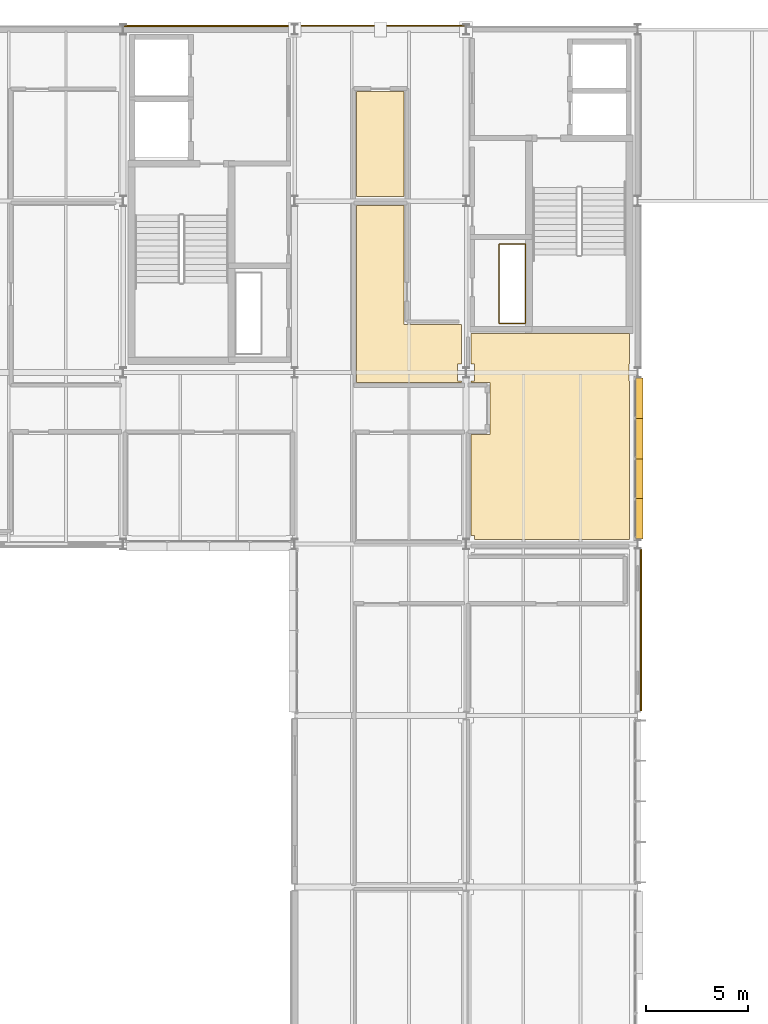
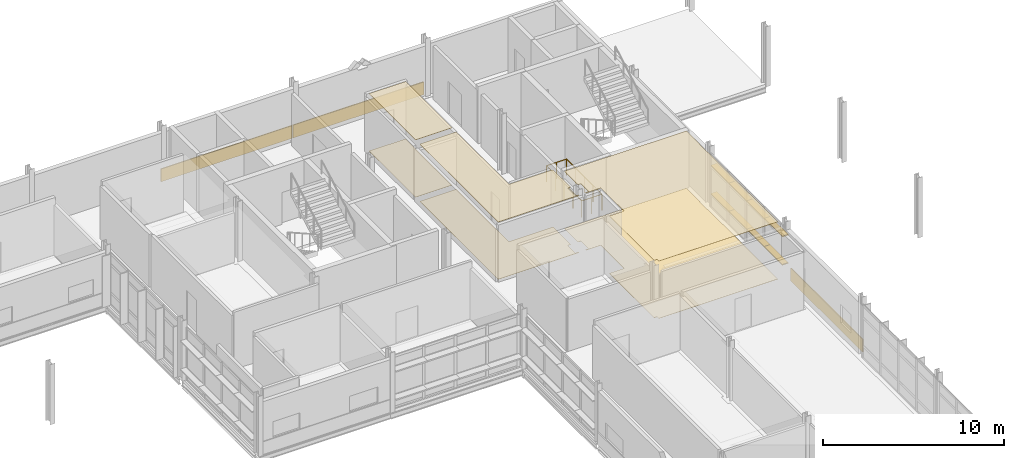
# One storey, part 130 of 131: 9 coverings, 8 shading devices, 1 railing.
"""IFC4 building model written with IfcOpenShell, lengths in metres."""

from ifc_helpers import new_model, si_unit, direction, frame, origin, origin_2d, place, context, subcontext, project, spatial, polyline, rectangle, circle, outline, extrude, material, layer, layer_set, type_object, element, save


model = new_model("IFC4")

# Units and contexts
model_context = context("Model", 3, precision=1e-05, world=origin(), true_north=direction((0.0, 1.0)))
body_context = subcontext(model_context, "Body", "Model", "MODEL_VIEW")
ifc_project = project(units=[si_unit("LENGTHUNIT", "METRE"), si_unit("AREAUNIT", "SQUARE_METRE"), si_unit("VOLUMEUNIT", "CUBIC_METRE"), si_unit("PLANEANGLEUNIT", "RADIAN"), si_unit("MASSUNIT", "GRAM", prefix="KILO")], contexts=[model_context])

# Site, building, storey
site_placement = place(None, origin())
site = spatial("IfcSite", under=ifc_project, at=site_placement, CompositionType="ELEMENT")
building_placement = place(site_placement, origin())
building = spatial("IfcBuilding", under=site, at=building_placement, Name="Mersafa Astral City Hall", CompositionType="ELEMENT")
storey_placement = place(building_placement, frame((0.0, 0.0, 13.949951171875)))
storey = spatial("IfcBuildingStorey", under=building, at=storey_placement, Name="L03", CompositionType="ELEMENT", Elevation=13.949951171875)

# Coverings
ifc_material_1 = material(Name="Cairo Mokattam buff limestone cladding", Category="masonry")
ifc_layer_1 = layer(ifc_material_1, 0.06005859375, Name="Cairo Mokattam buff limestone cladding")
ifc_layer_set_1 = layer_set([ifc_layer_1], Name="Cairo Mokattam buff limestone cladding — ENV-COV-LIMESTONE-60")
covering_type_1 = type_object("IfcCoveringType", Name="ENV-COV-LIMESTONE-60", PredefinedType="CLADDING", material=ifc_layer_set_1)
covering_1_placement = place(storey_placement, frame((176.56201171875, 96.58740234375, 0.0), z_axis=(0.0, 0.0, 1.0), x_axis=(0.0, 1.0, 0.0)))
element("IfcCovering", 1, at=covering_1_placement, inside=storey, type_object=covering_type_1, Name="L03 Cairo buff limestone rainscreen cladding 234", PredefinedType="CLADDING", context=body_context, shape_type="SweptSolid", body=[
    extrude(rectangle(XDim=7.923095703125, YDim=0.06005859375, at=origin_2d()), origin(), (0.0, 0.0, 1.0), 0.860107421875),
])
for number, where, z_axis, x_axis, name in (
    (2, (163.800048828125, 126.177001953125, 0.0), (0.0, 0.0, 1.0), (-1.0, 0.0, 0.0), "L03 Cairo buff limestone rainscreen cladding 238"),
    (3, (155.39990234375, 126.16943359375, 0.0), (0.0, 0.0, 1.0), (-1.0, 0.0, 0.0), "L03 Cairo buff limestone rainscreen cladding 239"),
):
    element("IfcCovering", number, at=place(storey_placement, frame(where, z_axis=z_axis, x_axis=x_axis)), inside=storey, type_object=covering_type_1, Name=name, PredefinedType="CLADDING", context=body_context, shape_type="SweptSolid", body=[
        extrude(rectangle(XDim=8.323974609375, YDim=0.06005859375, at=origin_2d()), origin(), (0.0, 0.0, 1.0), 0.860107421875),
    ])

# Shading devices
ifc_material_2 = material(Name="Kiln-dried cedar timber brise-soleil blade", Category="wood")
shading_device_type = type_object("IfcShadingDeviceType", Name="ENV-SHD-LOUVRE-380", PredefinedType="JALOUSIE", material=ifc_material_2)
shading_device_1_placement = place(storey_placement, frame((176.47998046875, 102.03955078125, 0.81494140625), z_axis=(0.0, 0.0, 1.0), x_axis=(0.0, 1.0, 0.0)))
element("IfcShadingDevice", 4, at=shading_device_1_placement, inside=storey, type_object=shading_device_type, Name="L03 Horizontal cedar brise-soleil louvre 1070", PredefinedType="JALOUSIE", context=body_context, shape_type="SweptSolid", body=[
    extrude(rectangle(XDim=1.985107421875, YDim=0.3798828125, at=origin_2d()), origin(), (0.0, 0.0, 1.0), 0.070068359375),
])
for number, where, z_axis, x_axis, name in (
    (5, (176.47998046875, 104.0, 0.81494140625), (0.0, 0.0, 1.0), (0.0, 1.0, 0.0), "L03 Horizontal cedar brise-soleil louvre 1071"),
    (6, (176.47998046875, 105.97509765625, 0.81494140625), (0.0, 0.0, 1.0), (0.0, 1.0, 0.0), "L03 Horizontal cedar brise-soleil louvre 1072"),
):
    element("IfcShadingDevice", number, at=place(storey_placement, frame(where, z_axis=z_axis, x_axis=x_axis)), inside=storey, type_object=shading_device_type, Name=name, PredefinedType="JALOUSIE", context=body_context, shape_type="SweptSolid", body=[
        extrude(rectangle(XDim=2.01513671875, YDim=0.3798828125, at=origin_2d()), origin(), (0.0, 0.0, 1.0), 0.070068359375),
    ])
for number, where, z_axis, x_axis, name in (
    (7, (176.47998046875, 107.935302734375, 0.81494140625), (0.0, 0.0, 1.0), (0.0, 1.0, 0.0), "L03 Horizontal cedar brise-soleil louvre 1073"),
    (8, (176.47998046875, 102.03955078125, 2.71484375), (0.0, 0.0, 1.0), (0.0, 1.0, 0.0), "L03 Horizontal cedar brise-soleil louvre 1074"),
):
    element("IfcShadingDevice", number, at=place(storey_placement, frame(where, z_axis=z_axis, x_axis=x_axis)), inside=storey, type_object=shading_device_type, Name=name, PredefinedType="JALOUSIE", context=body_context, shape_type="SweptSolid", body=[
        extrude(rectangle(XDim=1.985107421875, YDim=0.3798828125, at=origin_2d()), origin(), (0.0, 0.0, 1.0), 0.070068359375),
    ])
for number, where, z_axis, x_axis, name in (
    (9, (176.47998046875, 104.0, 2.71484375), (0.0, 0.0, 1.0), (0.0, 1.0, 0.0), "L03 Horizontal cedar brise-soleil louvre 1075"),
    (10, (176.47998046875, 105.97509765625, 2.71484375), (0.0, 0.0, 1.0), (0.0, 1.0, 0.0), "L03 Horizontal cedar brise-soleil louvre 1076"),
):
    element("IfcShadingDevice", number, at=place(storey_placement, frame(where, z_axis=z_axis, x_axis=x_axis)), inside=storey, type_object=shading_device_type, Name=name, PredefinedType="JALOUSIE", context=body_context, shape_type="SweptSolid", body=[
        extrude(rectangle(XDim=2.01513671875, YDim=0.3798828125, at=origin_2d()), origin(), (0.0, 0.0, 1.0), 0.070068359375),
    ])
shading_device_2_placement = place(storey_placement, frame((176.47998046875, 107.935302734375, 2.71484375), z_axis=(0.0, 0.0, 1.0), x_axis=(0.0, 1.0, 0.0)))
element("IfcShadingDevice", 11, at=shading_device_2_placement, inside=storey, type_object=shading_device_type, Name="L03 Horizontal cedar brise-soleil louvre 1077", PredefinedType="JALOUSIE", context=body_context, shape_type="SweptSolid", body=[
    extrude(rectangle(XDim=1.985107421875, YDim=0.3798828125, at=origin_2d()), origin(), (0.0, 0.0, 1.0), 0.070068359375),
])

# Railing
ifc_material_3 = material(Name="Painted architectural steel stair guard balustrade", Category="steel")
railing_type = type_object("IfcRailingType", Name="GUARD-RAIL", PredefinedType="BALUSTRADE", material=ifc_material_3)
railing_placement = place(storey_placement, frame((169.6201171875, 111.60009765625, 0.0)))
element("IfcRailing", 12, at=railing_placement, inside=storey, type_object=railing_type, Name="L03 K2 MEP Riser Shaft Guard", PredefinedType="BALUSTRADE", context=body_context, shape_type="SweptSolid", body=[
    extrude(circle(Radius=0.02392578125, at=origin_2d()), frame((0.0, 0.0, 1.09619140625), z_axis=(1.0, 0.0, 0.0), x_axis=(0.0, 1.0, 0.0)), (0.0, 0.0, 1.0), 1.27978515625),
    extrude(circle(Radius=0.02392578125, at=origin_2d()), frame((1.27978515625, 0.0, 1.09619140625), z_axis=(0.0, 1.0, 0.0), x_axis=(-1.0, 0.0, 0.0)), (0.0, 0.0, 1.0), 3.89990234375),
    extrude(circle(Radius=0.02392578125, at=origin_2d()), frame((1.27978515625, 3.89990234375, 1.09619140625), z_axis=(-1.0, 0.0, 0.0), x_axis=(0.0, -1.0, 0.0)), (0.0, 0.0, 1.0), 1.27978515625),
    extrude(circle(Radius=0.02392578125, at=origin_2d()), frame((0.0, 3.89990234375, 1.09619140625), z_axis=(0.0, -1.0, 0.0), x_axis=(1.0, 0.0, 0.0)), (0.0, 0.0, 1.0), 3.89990234375),
    extrude(circle(Radius=0.02099609375, at=origin_2d()), origin(), (0.0, 0.0, 1.0), 1.072021484375),
    extrude(circle(Radius=0.02099609375, at=origin_2d()), frame((0.639892578125, 0.0, 0.0)), (0.0, 0.0, 1.0), 1.072021484375),
    extrude(circle(Radius=0.02099609375, at=origin_2d()), frame((1.27978515625, 0.0, 0.0)), (0.0, 0.0, 1.0), 1.072021484375),
    extrude(circle(Radius=0.02099609375, at=origin_2d()), frame((1.27978515625, 0.97509765625, 0.0)), (0.0, 0.0, 1.0), 1.072021484375),
    extrude(circle(Radius=0.02099609375, at=origin_2d()), frame((1.27978515625, 1.949951171875, 0.0)), (0.0, 0.0, 1.0), 1.072021484375),
    extrude(circle(Radius=0.02099609375, at=origin_2d()), frame((1.27978515625, 2.9248046875, 0.0)), (0.0, 0.0, 1.0), 1.072021484375),
    extrude(circle(Radius=0.02099609375, at=origin_2d()), frame((1.27978515625, 3.89990234375, 0.0)), (0.0, 0.0, 1.0), 1.072021484375),
    extrude(circle(Radius=0.02099609375, at=origin_2d()), frame((0.639892578125, 3.89990234375, 0.0)), (0.0, 0.0, 1.0), 1.072021484375),
    extrude(circle(Radius=0.02099609375, at=origin_2d()), frame((0.0, 3.89990234375, 0.0)), (0.0, 0.0, 1.0), 1.072021484375),
    extrude(circle(Radius=0.02099609375, at=origin_2d()), frame((0.0, 2.9248046875, 0.0)), (0.0, 0.0, 1.0), 1.072021484375),
    extrude(circle(Radius=0.02099609375, at=origin_2d()), frame((0.0, 1.949951171875, 0.0)), (0.0, 0.0, 1.0), 1.072021484375),
    extrude(circle(Radius=0.02099609375, at=origin_2d()), frame((0.0, 0.97509765625, 0.0)), (0.0, 0.0, 1.0), 1.072021484375),
])

# Coverings
ifc_material_4 = material(Name="Perforated acoustic gypsum board ceiling", Category="gypsum")
ifc_layer_2 = layer(ifc_material_4, 0.02490234375, Name="Perforated acoustic gypsum board ceiling")
ifc_layer_set_2 = layer_set([ifc_layer_2], Name="Perforated acoustic gypsum board ceiling — INT-COV-CEIL-25")
covering_type_2 = type_object("IfcCoveringType", Name="INT-COV-CEIL-25", PredefinedType="CEILING", material=ifc_layer_set_2)
covering_2_placement = place(storey_placement, frame((0.0, 0.0, 3.845947265625)))
element("IfcCovering", 13, at=covering_2_placement, inside=storey, type_object=covering_type_2, Name="L03 Legal Counsel & Legislation Office L03-06 acoustic ceiling", PredefinedType="CEILING", context=body_context, shape_type="SweptSolid", body=[
    extrude(outline(polyline([(176.0, 101.030029296875), (168.419921875, 101.030029296875), (168.419921875, 101.219970703125), (168.22998046875, 101.219970703125), (168.22998046875, 106.159912109375), (169.169921875, 106.159912109375), (169.169921875, 108.719970703125), (168.22998046875, 108.719970703125), (168.22998046875, 108.780029296875), (168.419921875, 108.780029296875), (168.419921875, 109.6201171875), (168.22998046875, 109.6201171875), (168.22998046875, 111.1201171875), (176.0, 111.1201171875), (176.0, 109.6201171875), (175.97998046875, 109.6201171875), (175.97998046875, 108.780029296875), (176.0, 108.780029296875), (176.0, 101.030029296875)])), origin(), (0.0, 0.0, 1.0), 0.025146484375),
])
covering_3_placement = place(storey_placement, frame((0.0, 0.0, 3.845947265625)))
element("IfcCovering", 14, at=covering_3_placement, inside=storey, type_object=covering_type_2, Name="L03 Building Permits Technical Office L03-26 acoustic ceiling", PredefinedType="CEILING", context=body_context, shape_type="SweptSolid", body=[
    extrude(outline(polyline([(164.9599609375, 117.3701171875), (164.9599609375, 111.56005859375), (167.77001953125, 111.56005859375), (167.77001953125, 109.6201171875), (167.580078125, 109.6201171875), (167.580078125, 108.780029296875), (167.77001953125, 108.780029296875), (167.77001953125, 108.719970703125), (162.639892578125, 108.719970703125), (162.639892578125, 117.3701171875), (164.9599609375, 117.3701171875)])), origin(), (0.0, 0.0, 1.0), 0.025146484375),
])
covering_4_placement = place(storey_placement, frame((0.0, 0.0, 3.845947265625)))
element("IfcCovering", 15, at=covering_4_placement, inside=storey, type_object=covering_type_2, Name="L03 Building Permits Technical Office L03-35 acoustic ceiling", PredefinedType="CEILING", context=body_context, shape_type="SweptSolid", body=[
    extrude(outline(polyline([(164.9599609375, 117.830078125), (162.639892578125, 117.830078125), (162.639892578125, 122.9599609375), (164.9599609375, 122.9599609375), (164.9599609375, 117.830078125)])), origin(), (0.0, 0.0, 1.0), 0.025146484375),
])
ifc_material_5 = material(Name="Heavy-duty woven acoustic carpet tile", Category="finish")
ifc_layer_3 = layer(ifc_material_5, 0.014892578125, Name="Heavy-duty woven acoustic carpet tile")
ifc_layer_set_3 = layer_set([ifc_layer_3], Name="Heavy-duty woven acoustic carpet tile — INT-COV-FLR-15")
covering_type_3 = type_object("IfcCoveringType", Name="INT-COV-FLR-15", PredefinedType="FLOORING", material=ifc_layer_set_3)
covering_5_placement = place(storey_placement, frame((0.0, 0.0, -0.00146484375)))
element("IfcCovering", 16, at=covering_5_placement, inside=storey, type_object=covering_type_3, Name="L03 Legal Counsel & Legislation Office L03-06 architectural flooring", PredefinedType="FLOORING", context=body_context, shape_type="SweptSolid", body=[
    extrude(outline(polyline([(176.0, 101.030029296875), (168.419921875, 101.030029296875), (168.419921875, 101.219970703125), (168.22998046875, 101.219970703125), (168.22998046875, 106.159912109375), (169.169921875, 106.159912109375), (169.169921875, 108.719970703125), (168.22998046875, 108.719970703125), (168.22998046875, 108.780029296875), (168.419921875, 108.780029296875), (168.419921875, 109.6201171875), (168.22998046875, 109.6201171875), (168.22998046875, 111.1201171875), (176.0, 111.1201171875), (176.0, 109.6201171875), (175.97998046875, 109.6201171875), (175.97998046875, 108.780029296875), (176.0, 108.780029296875), (176.0, 101.030029296875)])), origin(), (0.0, 0.0, 1.0), 0.014892578125),
])
covering_6_placement = place(storey_placement, frame((0.0, 0.0, -0.00146484375)))
element("IfcCovering", 17, at=covering_6_placement, inside=storey, type_object=covering_type_3, Name="L03 Building Permits Technical Office L03-26 architectural flooring", PredefinedType="FLOORING", context=body_context, shape_type="SweptSolid", body=[
    extrude(outline(polyline([(164.9599609375, 117.3701171875), (164.9599609375, 111.56005859375), (167.77001953125, 111.56005859375), (167.77001953125, 109.6201171875), (167.580078125, 109.6201171875), (167.580078125, 108.780029296875), (167.77001953125, 108.780029296875), (167.77001953125, 108.719970703125), (162.639892578125, 108.719970703125), (162.639892578125, 117.3701171875), (164.9599609375, 117.3701171875)])), origin(), (0.0, 0.0, 1.0), 0.014892578125),
])
covering_7_placement = place(storey_placement, frame((0.0, 0.0, -0.00146484375)))
element("IfcCovering", 18, at=covering_7_placement, inside=storey, type_object=covering_type_3, Name="L03 Building Permits Technical Office L03-35 architectural flooring", PredefinedType="FLOORING", context=body_context, shape_type="SweptSolid", body=[
    extrude(outline(polyline([(164.9599609375, 117.830078125), (162.639892578125, 117.830078125), (162.639892578125, 122.9599609375), (164.9599609375, 122.9599609375), (164.9599609375, 117.830078125)])), origin(), (0.0, 0.0, 1.0), 0.014892578125),
])

save(model, "model.ifc")
